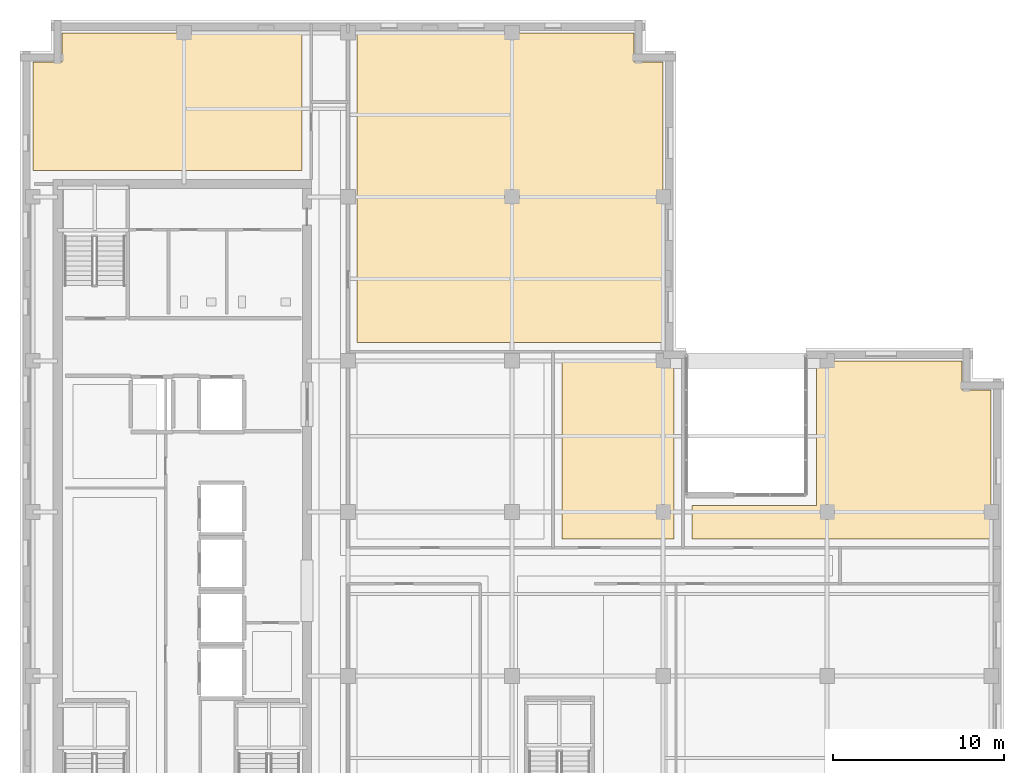
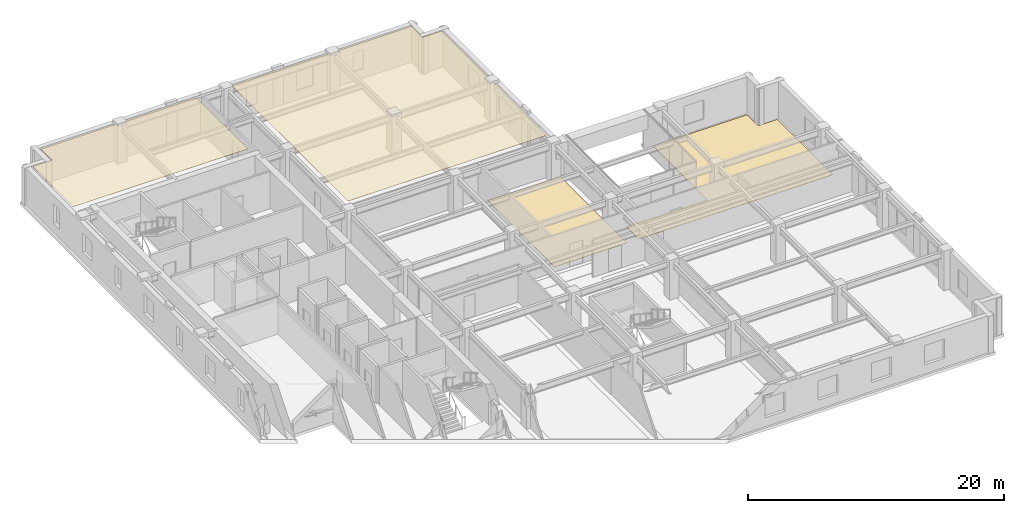
# One storey, part 11 of 12: 4 coverings.
"""IFC4 building model written with IfcOpenShell, lengths in metres."""

from ifc_helpers import new_model, si_unit, direction, frame, origin, place, context, subcontext, project, spatial, polyline, outline, extrude, material, layer, layer_set, type_object, element, save


model = new_model("IFC4")

# Units and contexts
model_context = context("Model", 3, precision=1e-05, world=origin(), true_north=direction((0.0, 1.0)))
body_context = subcontext(model_context, "Body", "Model", "MODEL_VIEW")
ifc_project = project(units=[si_unit("LENGTHUNIT", "METRE"), si_unit("AREAUNIT", "SQUARE_METRE"), si_unit("VOLUMEUNIT", "CUBIC_METRE"), si_unit("PLANEANGLEUNIT", "RADIAN"), si_unit("MASSUNIT", "GRAM", prefix="KILO")], contexts=[model_context])

# Site, building, storey
site_placement = place(None, origin())
site = spatial("IfcSite", under=ifc_project, at=site_placement, CompositionType="ELEMENT")
building_placement = place(site_placement, origin())
building = spatial("IfcBuilding", under=site, at=building_placement, Name="Norrvale University Quadrangle", CompositionType="ELEMENT")
storey_placement = place(building_placement, frame((0.0, 0.0, 225.60009765625)))
storey = spatial("IfcBuildingStorey", under=building, at=storey_placement, Name="L57", CompositionType="ELEMENT", Elevation=225.60009765625)

# Coverings
ifc_material_1 = material(Name="Perforated Acoustic Mineral Ceiling")
ifc_layer_1 = layer(ifc_material_1, 0.02490234375, Name="Perforated Acoustic Mineral Ceiling")
ifc_layer_set_1 = layer_set([ifc_layer_1], Name="Perforated Acoustic Mineral Ceiling")
covering_type_1 = type_object("IfcCoveringType", Name="Covering Acoustic Ceiling 25", PredefinedType="CEILING", material=ifc_layer_set_1)
covering_1_placement = place(storey_placement, frame((0.0, 0.0, 3.514892578125)))
element("IfcCovering", 1, at=covering_1_placement, inside=storey, type_object=covering_type_1, Name="Acoustic Ceiling RM-L57-NE01", PredefinedType="CEILING", context=body_context, shape_type="SweptSolid", body=[
    extrude(outline(polyline([(19.72998046875, 38.7099609375), (19.72998046875, 56.85009765625), (35.929931640625, 56.85009765625), (35.929931640625, 55.1298828125), (37.64990234375, 55.1298828125), (37.64990234375, 38.7099609375), (19.72998046875, 38.7099609375)])), origin(), (0.0, 0.0, 1.0), 0.02490234375),
])
covering_2_placement = place(storey_placement, frame((0.0, 0.0, 3.514892578125)))
element("IfcCovering", 2, at=covering_2_placement, inside=storey, type_object=covering_type_1, Name="Acoustic Ceiling RM-L57-NW01", PredefinedType="CEILING", context=body_context, shape_type="SweptSolid", body=[
    extrude(outline(polyline([(16.52001953125, 56.85009765625), (16.52001953125, 48.780029296875), (0.75, 48.780029296875), (0.75, 55.1298828125), (2.469970703125, 55.1298828125), (2.469970703125, 56.85009765625), (16.52001953125, 56.85009765625)])), origin(), (0.0, 0.0, 1.0), 0.02490234375),
])
ifc_material_2 = material(Name="Polished Terrazzo Flooring")
ifc_layer_2 = layer(ifc_material_2, 0.02490234375, Name="Polished Terrazzo Flooring")
ifc_layer_set_2 = layer_set([ifc_layer_2], Name="Polished Terrazzo Flooring")
covering_type_2 = type_object("IfcCoveringType", Name="Covering Terrazzo Floor 30", PredefinedType="FLOORING", material=ifc_layer_set_2)
covering_3_placement = place(storey_placement, origin())
element("IfcCovering", 3, at=covering_3_placement, inside=storey, type_object=covering_type_2, Name="Terrazzo Flooring RM-L57-ME02", PredefinedType="FLOORING", context=body_context, shape_type="SweptSolid", body=[
    extrude(outline(polyline([(38.27001953125, 37.64990234375), (38.27001953125, 27.22998046875), (31.72998046875, 27.22998046875), (31.72998046875, 37.64990234375), (38.27001953125, 37.64990234375)])), origin(), (0.0, 0.0, 1.0), 0.02490234375),
])
covering_4_placement = place(storey_placement, origin())
element("IfcCovering", 4, at=covering_4_placement, inside=storey, type_object=covering_type_2, Name="Terrazzo Flooring RM-L57-ME03", PredefinedType="FLOORING", context=body_context, shape_type="SweptSolid", body=[
    extrude(outline(polyline([(39.330078125, 27.22998046875), (39.330078125, 29.169921875), (46.6298828125, 29.169921875), (46.6298828125, 37.64990234375), (55.1298828125, 37.64990234375), (55.1298828125, 35.929931640625), (56.85009765625, 35.929931640625), (56.85009765625, 27.22998046875), (39.330078125, 27.22998046875)])), origin(), (0.0, 0.0, 1.0), 0.02490234375),
])

save(model, "model.ifc")
